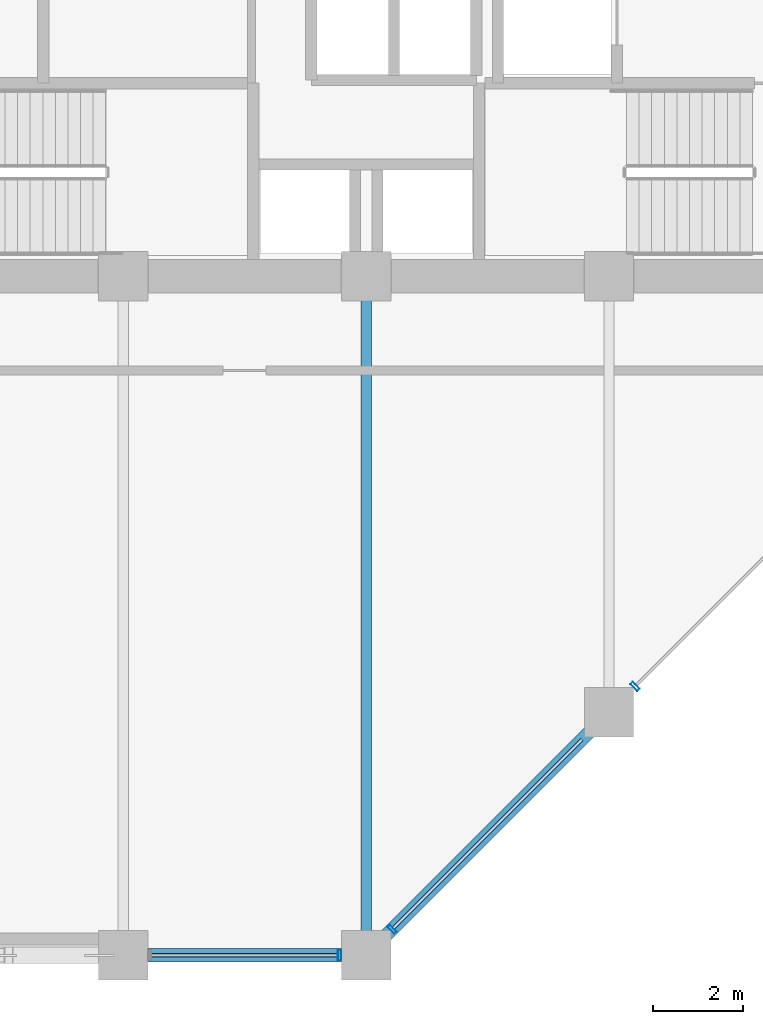
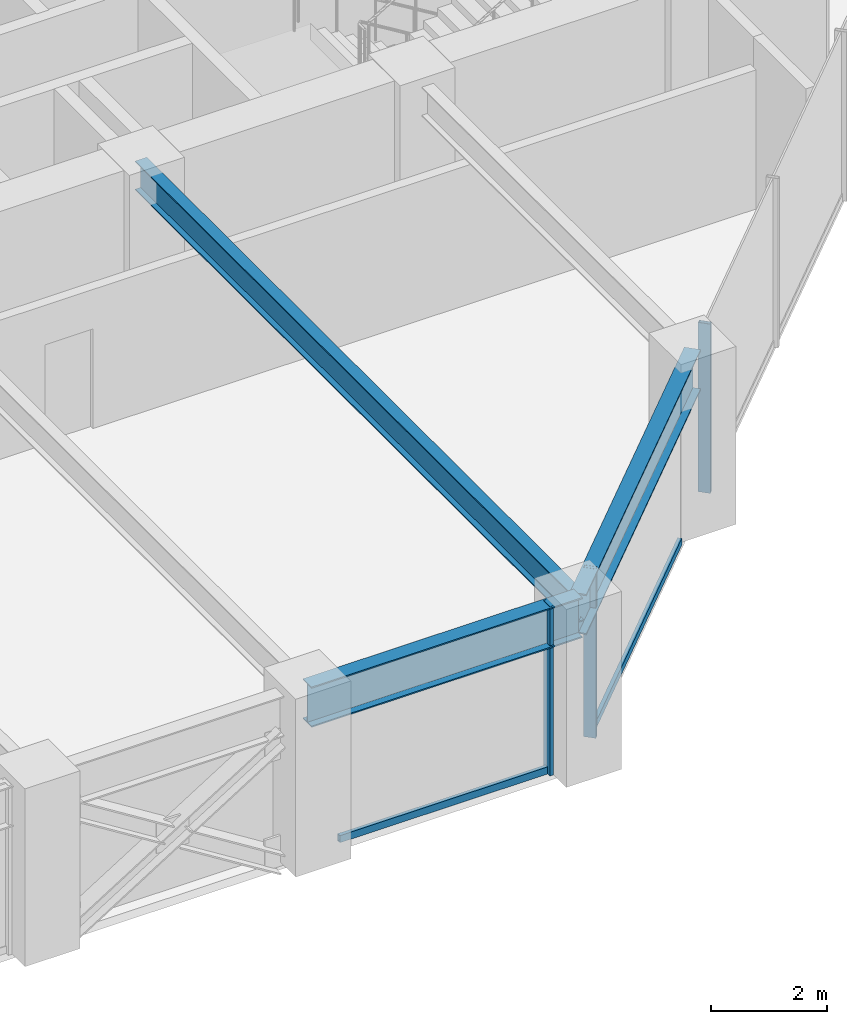
# One storey, part 6 of 25: 5 members, 3 beams, 2 elements without a shape of their own.
"""IFC4 building model written with IfcOpenShell, lengths in metres."""

from ifc_helpers import new_model, si_unit, direction, frame, origin, origin_2d, place, context, subcontext, project, spatial, hollow_rectangle, i_section, extrude, material, layer, layer_set, material_profile, profile_set, type_object, element, aggregate, save


model = new_model("IFC4")

# Units and contexts
model_context = context("Model", 3, precision=1e-05, world=origin(), true_north=direction((0.0, 1.0)))
body_context = subcontext(model_context, "Body", "Model", "MODEL_VIEW")
ifc_project = project(units=[si_unit("LENGTHUNIT", "METRE"), si_unit("AREAUNIT", "SQUARE_METRE"), si_unit("VOLUMEUNIT", "CUBIC_METRE"), si_unit("PLANEANGLEUNIT", "RADIAN"), si_unit("MASSUNIT", "GRAM", prefix="KILO")], contexts=[model_context])

# Site, building, storey
site_placement = place(None, origin())
site = spatial("IfcSite", under=ifc_project, at=site_placement, CompositionType="ELEMENT")
building_placement = place(site_placement, origin())
building = spatial("IfcBuilding", under=site, at=building_placement, Name="Surkhivell Harbour Commons", CompositionType="ELEMENT")
storey_placement = place(building_placement, frame((0.0, 0.0, 94.5)))
storey = spatial("IfcBuildingStorey", under=building, at=storey_placement, Name="L24", CompositionType="ELEMENT", Elevation=94.5)

# Beams
ifc_material_1 = material(Name="Steel S355", Category="steel")
ifc_material_profile_1 = material_profile(ifc_material_1, i_section(OverallWidth=0.22998046875, OverallDepth=0.616943359375, WebThickness=0.01318359375, FlangeThickness=0.022216796875, at=origin_2d()), Name="UB610x229x140")
ifc_profile_set_1 = profile_set([ifc_material_profile_1], Name="Steel S355")
beam_type_1 = type_object("IfcBeamType", Name="BM-GRD-610B", PredefinedType="BEAM", material=ifc_profile_set_1)
beam_1_placement = place(storey_placement, frame((0.0, -25.89990234375, 3.261474609375), z_axis=(0.0, 1.0, 0.0), x_axis=(-1.0, 0.0, 0.0)))
element("IfcBeam", 1, at=beam_1_placement, inside=storey, type_object=beam_type_1, Name="L24 Floor Girder (0.0,-25.9)", PredefinedType="BEAM", context=body_context, shape_type="SweptSolid", body=[
    extrude(i_section(OverallWidth=0.22998046875, OverallDepth=0.616943359375, WebThickness=0.01318359375, FlangeThickness=0.022216796875, at=origin_2d()), origin(), (0.0, 0.0, 1.0), 15.099853515625),
])
ifc_material_2 = material(Name="Steel S460", Category="steel")
ifc_material_profile_2 = material_profile(ifc_material_2, i_section(OverallWidth=0.2939453125, OverallDepth=0.85107421875, WebThickness=0.01611328125, FlangeThickness=0.02685546875, at=origin_2d()), Name="UB838x292x226")
ifc_profile_set_2 = profile_set([ifc_material_profile_2], Name="Steel S460")
beam_type_2 = type_object("IfcBeamType", Name="BM-SPN-838", PredefinedType="SPANDREL", material=ifc_profile_set_2)
beam_2_placement = place(storey_placement, frame((-5.39990234375, -25.89990234375, 3.14453125), z_axis=(1.0, 0.0, 0.0), x_axis=(0.0, 1.0, 0.0)))
element("IfcBeam", 2, at=beam_2_placement, inside=storey, type_object=beam_type_2, Name="L24 Tube Spandrel (-5.4,-25.9)", PredefinedType="SPANDREL", context=body_context, shape_type="SweptSolid", body=[
    extrude(i_section(OverallWidth=0.2939453125, OverallDepth=0.85107421875, WebThickness=0.01611328125, FlangeThickness=0.02685546875, at=origin_2d()), origin(), (0.0, 0.0, 1.0), 5.39990234375),
])
beam_3_placement = place(storey_placement, frame((0.0, -25.89990234375, 3.14453125), z_axis=(0.707106781187, 0.707106781187, 0.0), x_axis=(-0.707106781187, 0.707106781187, 0.0)))
element("IfcBeam", 3, at=beam_3_placement, inside=storey, type_object=beam_type_2, Name="L24 Tube Spandrel (-0.0,-25.9)", PredefinedType="SPANDREL", context=body_context, shape_type="SweptSolid", body=[
    extrude(i_section(OverallWidth=0.2939453125, OverallDepth=0.85107421875, WebThickness=0.01611328125, FlangeThickness=0.02685546875, at=origin_2d()), origin(), (0.0, 0.0, 1.0), 7.63671875),
])

# Curtain wall, member
ifc_material_3 = material(Name="Anodised pale-metal aluminium and insulated glazing", Category="aluminium")
ifc_layer = layer(ifc_material_3, 0.205078125)
ifc_layer_set = layer_set([ifc_layer], Name="Anodised pale-metal aluminium and insulated glazing")
curtain_wall_type = type_object("IfcCurtainWallType", Name="CW-SYS-Z2", PredefinedType="NOTDEFINED", material=ifc_layer_set)
curtain_wall_1_placement = place(storey_placement, origin())
curtain_wall_1 = element("IfcCurtainWall", 4, at=curtain_wall_1_placement, inside=storey, type_object=curtain_wall_type, Name="L24 Curtain Wall CW-L24-E00S2", PredefinedType="NOTDEFINED")
ifc_material_4 = material(Name="Anodised pale-metal aluminium alloy 6063-T6", Category="aluminium")
ifc_material_profile_3 = material_profile(ifc_material_4, hollow_rectangle(XDim=0.074951171875, YDim=0.219970703125, WallThickness=0.00390625, at=origin_2d()), Name="ALU-MULL-75x220")
ifc_profile_set_3 = profile_set([ifc_material_profile_3], Name="Anodised pale-metal aluminium alloy 6063-T6")
member_type_1 = type_object("IfcMemberType", Name="CWM-220", PredefinedType="MULLION", material=ifc_profile_set_3)
member_1_placement = place(storey_placement, frame((-0.589599609375, -25.89990234375, 0.0), z_axis=(0.0, 0.0, 1.0), x_axis=(1.0, 0.0, 0.0)))
member_1 = element("IfcMember", 5, at=member_1_placement, type_object=member_type_1, Name="CW-Z2 mullion 2", PredefinedType="MULLION", context=body_context, shape_type="SweptSolid", body=[
    extrude(hollow_rectangle(XDim=0.074951171875, YDim=0.219970703125, WallThickness=0.00390625, at=origin_2d()), origin(), (0.0, 0.0, 1.0), 3.570068359375),
])

# Curtain wall, members
curtain_wall_2_placement = place(storey_placement, origin())
curtain_wall_2 = element("IfcCurtainWall", 6, at=curtain_wall_2_placement, inside=storey, type_object=curtain_wall_type, Name="L24 Curtain Wall CW-L24-E01", PredefinedType="NOTDEFINED")
member_2_placement = place(storey_placement, frame((0.578125, -25.32177734375, 0.0), z_axis=(0.0, 0.0, 1.0), x_axis=(0.707106781187, 0.707106781187, 0.0)))
member_2 = element("IfcMember", 7, at=member_2_placement, type_object=member_type_1, Name="CW-Z2 mullion 1", PredefinedType="MULLION", context=body_context, shape_type="SweptSolid", body=[
    extrude(hollow_rectangle(XDim=0.074951171875, YDim=0.219970703125, WallThickness=0.00390625, at=origin_2d()), origin(), (0.0, 0.0, 1.0), 3.570068359375),
])
member_3_placement = place(storey_placement, frame((5.978271484375, -19.921875, 0.0), z_axis=(0.0, 0.0, 1.0), x_axis=(0.707106781187, 0.707106781187, 0.0)))
member_3 = element("IfcMember", 8, at=member_3_placement, type_object=member_type_1, Name="CW-Z2 mullion 2", PredefinedType="MULLION", context=body_context, shape_type="SweptSolid", body=[
    extrude(hollow_rectangle(XDim=0.074951171875, YDim=0.219970703125, WallThickness=0.00390625, at=origin_2d()), origin(), (0.0, 0.0, 1.0), 3.570068359375),
])

# Member
ifc_material_profile_4 = material_profile(ifc_material_4, hollow_rectangle(XDim=0.074951171875, YDim=0.14990234375, WallThickness=0.00341796875, at=origin_2d()), Name="ALU-TRAN-75x150")
ifc_profile_set_4 = profile_set([ifc_material_profile_4], Name="Anodised pale-metal aluminium alloy 6063-T6")
member_type_2 = type_object("IfcMemberType", Name="CWT-150", PredefinedType="USERDEFINED", material=ifc_profile_set_4)
member_4_placement = place(storey_placement, frame((-4.77294921875, -25.89990234375, 0.074951171875), z_axis=(1.0, 0.0, 0.0), x_axis=(0.0, 1.0, 0.0)))
member_4 = element("IfcMember", 9, at=member_4_placement, type_object=member_type_2, Name="CW-Z2 transom 1.1", ObjectType="TRANSOM", PredefinedType="USERDEFINED", context=body_context, shape_type="SweptSolid", body=[
    extrude(hollow_rectangle(XDim=0.074951171875, YDim=0.14990234375, WallThickness=0.00341796875, at=origin_2d()), origin(), (0.0, 0.0, 1.0), 4.14599609375),
])

aggregate(curtain_wall_1, [member_1, member_4])

member_5_placement = place(storey_placement, frame((0.604736328125, -25.295166015625, 0.074951171875), z_axis=(0.707106781187, 0.707106781187, 0.0), x_axis=(-0.707106781187, 0.707106781187, 0.0)))
member_5 = element("IfcMember", 10, at=member_5_placement, type_object=member_type_2, Name="CW-Z2 transom 1.1", ObjectType="TRANSOM", PredefinedType="USERDEFINED", context=body_context, shape_type="SweptSolid", body=[
    extrude(hollow_rectangle(XDim=0.074951171875, YDim=0.14990234375, WallThickness=0.00341796875, at=origin_2d()), origin(), (0.0, 0.0, 1.0), 5.92626953125),
])

aggregate(curtain_wall_2, [member_2, member_5, member_3])

save(model, "model.ifc")
